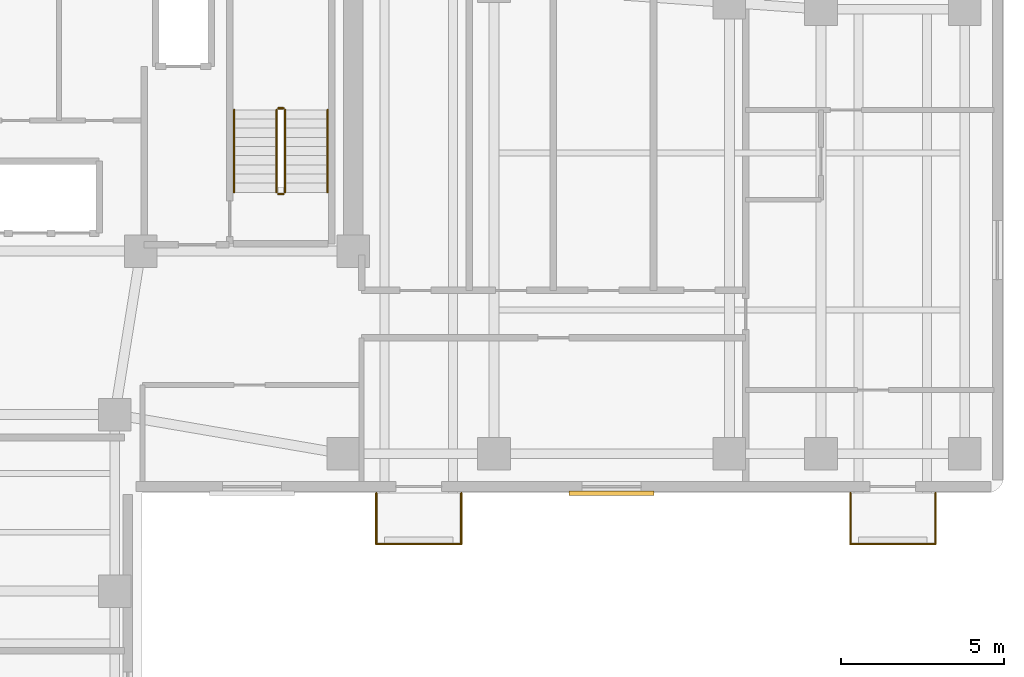
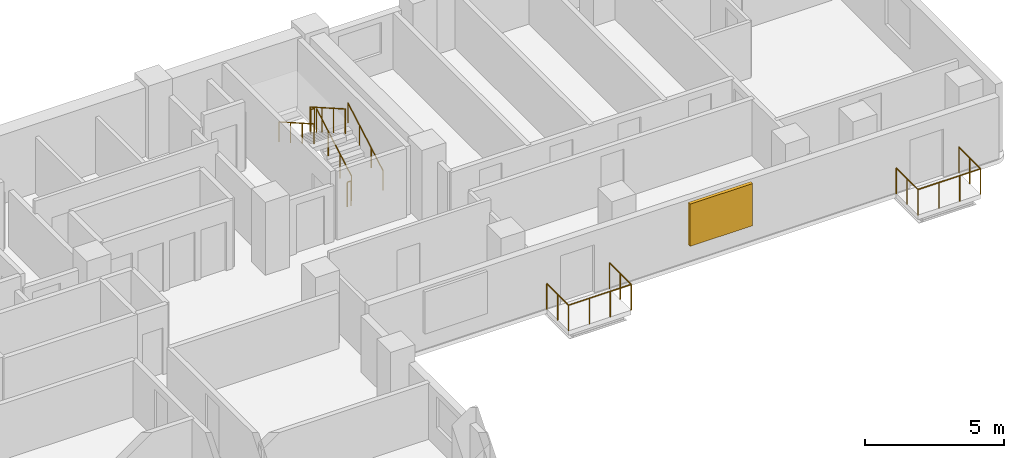
# One storey, part 7 of 7: 12 railings, 1 shading device.
"""IFC4 building model written with IfcOpenShell, lengths in metres."""

from ifc_helpers import new_model, si_unit, direction, frame, origin, origin_2d, place, context, subcontext, project, spatial, rectangle, circle, extrude, material, layer, layer_set, type_object, element, save


model = new_model("IFC4")

# Units and contexts
model_context = context("Model", 3, precision=1e-05, world=origin(), true_north=direction((0.0, 1.0)))
body_context = subcontext(model_context, "Body", "Model", "MODEL_VIEW")
ifc_project = project(units=[si_unit("LENGTHUNIT", "METRE"), si_unit("AREAUNIT", "SQUARE_METRE"), si_unit("VOLUMEUNIT", "CUBIC_METRE"), si_unit("PLANEANGLEUNIT", "RADIAN"), si_unit("MASSUNIT", "GRAM", prefix="KILO")], contexts=[model_context])

# Site, building, storey
site_placement = place(None, origin())
site = spatial("IfcSite", under=ifc_project, at=site_placement, CompositionType="ELEMENT")
building_placement = place(site_placement, origin())
building = spatial("IfcBuilding", under=site, at=building_placement, Name="Kuzgunbayir Cultural Tower", CompositionType="ELEMENT")
storey_placement = place(building_placement, frame((0.0, 0.0, 133.0)))
storey = spatial("IfcBuildingStorey", under=building, at=storey_placement, Name="L38", CompositionType="ELEMENT", Elevation=133.0)

# Railings
ifc_material_1 = material(Name="Laminated Glass and Stainless Steel", Category="steel")
ifc_layer_1 = layer(ifc_material_1, 0.080078125)
ifc_layer_set_1 = layer_set([ifc_layer_1], Name="Laminated Glass and Stainless Steel")
railing_type_1 = type_object("IfcRailingType", Name="RLG-BAL-115", PredefinedType="BALUSTRADE", material=ifc_layer_set_1)
railing_1_placement = place(storey_placement, frame((27.60009765625, 26.39990234375, 0.0)))
element("IfcRailing", 1, at=railing_1_placement, inside=storey, type_object=railing_type_1, Name="L38 Balcony Guard BAL-L38-WB1 Segment 1", PredefinedType="BALUSTRADE", context=body_context, shape_type="SweptSolid", body=[
    extrude(circle(Radius=0.02392578125, at=origin_2d()), frame((0.0, 0.0, 1.1259765625), z_axis=(0.0, -1.0, 0.0), x_axis=(1.0, 0.0, 0.0)), (0.0, 0.0, 1.0), 1.559814453125),
    extrude(circle(Radius=0.02099609375, at=origin_2d()), origin(), (0.0, 0.0, 1.0), 1.101806640625),
    extrude(circle(Radius=0.02099609375, at=origin_2d()), frame((0.0, -0.77978515625, 0.0)), (0.0, 0.0, 1.0), 1.101806640625),
    extrude(circle(Radius=0.02099609375, at=origin_2d()), frame((0.0, -1.559814453125, 0.0)), (0.0, 0.0, 1.0), 1.101806640625),
])
railing_2_placement = place(storey_placement, frame((27.60009765625, 24.840087890625, 0.0)))
element("IfcRailing", 2, at=railing_2_placement, inside=storey, type_object=railing_type_1, Name="L38 Balcony Guard BAL-L38-WB1 Segment 2", PredefinedType="BALUSTRADE", context=body_context, shape_type="SweptSolid", body=[
    extrude(circle(Radius=0.02392578125, at=origin_2d()), frame((0.0, 0.0, 1.1259765625), z_axis=(1.0, 0.0, 0.0), x_axis=(0.0, 1.0, 0.0)), (0.0, 0.0, 1.0), 2.599853515625),
    extrude(circle(Radius=0.02099609375, at=origin_2d()), origin(), (0.0, 0.0, 1.0), 1.101806640625),
    extrude(circle(Radius=0.02099609375, at=origin_2d()), frame((0.86669921875, 0.0, 0.0)), (0.0, 0.0, 1.0), 1.101806640625),
    extrude(circle(Radius=0.02099609375, at=origin_2d()), frame((1.733154296875, 0.0, 0.0)), (0.0, 0.0, 1.0), 1.101806640625),
    extrude(circle(Radius=0.02099609375, at=origin_2d()), frame((2.599853515625, 0.0, 0.0)), (0.0, 0.0, 1.0), 1.101806640625),
])
railing_3_placement = place(storey_placement, frame((30.199951171875, 24.840087890625, 0.0)))
element("IfcRailing", 3, at=railing_3_placement, inside=storey, type_object=railing_type_1, Name="L38 Balcony Guard BAL-L38-WB1 Segment 3", PredefinedType="BALUSTRADE", context=body_context, shape_type="SweptSolid", body=[
    extrude(circle(Radius=0.02392578125, at=origin_2d()), frame((0.0, 0.0, 1.1259765625), z_axis=(0.0, 1.0, 0.0), x_axis=(-1.0, 0.0, 0.0)), (0.0, 0.0, 1.0), 1.559814453125),
    extrude(circle(Radius=0.02099609375, at=origin_2d()), origin(), (0.0, 0.0, 1.0), 1.101806640625),
    extrude(circle(Radius=0.02099609375, at=origin_2d()), frame((0.0, 0.77978515625, 0.0)), (0.0, 0.0, 1.0), 1.101806640625),
    extrude(circle(Radius=0.02099609375, at=origin_2d()), frame((0.0, 1.559814453125, 0.0)), (0.0, 0.0, 1.0), 1.101806640625),
])
railing_4_placement = place(storey_placement, frame((42.10009765625, 26.39990234375, 0.0)))
element("IfcRailing", 4, at=railing_4_placement, inside=storey, type_object=railing_type_1, Name="L38 Balcony Guard BAL-L38-WB3 Segment 1", PredefinedType="BALUSTRADE", context=body_context, shape_type="SweptSolid", body=[
    extrude(circle(Radius=0.02392578125, at=origin_2d()), frame((0.0, 0.0, 1.1259765625), z_axis=(0.0, -1.0, 0.0), x_axis=(1.0, 0.0, 0.0)), (0.0, 0.0, 1.0), 1.559814453125),
    extrude(circle(Radius=0.02099609375, at=origin_2d()), origin(), (0.0, 0.0, 1.0), 1.101806640625),
    extrude(circle(Radius=0.02099609375, at=origin_2d()), frame((0.0, -0.77978515625, 0.0)), (0.0, 0.0, 1.0), 1.101806640625),
    extrude(circle(Radius=0.02099609375, at=origin_2d()), frame((0.0, -1.559814453125, 0.0)), (0.0, 0.0, 1.0), 1.101806640625),
])
railing_5_placement = place(storey_placement, frame((42.10009765625, 24.840087890625, 0.0)))
element("IfcRailing", 5, at=railing_5_placement, inside=storey, type_object=railing_type_1, Name="L38 Balcony Guard BAL-L38-WB3 Segment 2", PredefinedType="BALUSTRADE", context=body_context, shape_type="SweptSolid", body=[
    extrude(circle(Radius=0.02392578125, at=origin_2d()), frame((0.0, 0.0, 1.1259765625), z_axis=(1.0, 0.0, 0.0), x_axis=(0.0, 1.0, 0.0)), (0.0, 0.0, 1.0), 2.599853515625),
    extrude(circle(Radius=0.02099609375, at=origin_2d()), origin(), (0.0, 0.0, 1.0), 1.101806640625),
    extrude(circle(Radius=0.02099609375, at=origin_2d()), frame((0.86669921875, 0.0, 0.0)), (0.0, 0.0, 1.0), 1.101806640625),
    extrude(circle(Radius=0.02099609375, at=origin_2d()), frame((1.733154296875, 0.0, 0.0)), (0.0, 0.0, 1.0), 1.101806640625),
    extrude(circle(Radius=0.02099609375, at=origin_2d()), frame((2.599853515625, 0.0, 0.0)), (0.0, 0.0, 1.0), 1.101806640625),
])
railing_6_placement = place(storey_placement, frame((44.699951171875, 24.840087890625, 0.0)))
element("IfcRailing", 6, at=railing_6_placement, inside=storey, type_object=railing_type_1, Name="L38 Balcony Guard BAL-L38-WB3 Segment 3", PredefinedType="BALUSTRADE", context=body_context, shape_type="SweptSolid", body=[
    extrude(circle(Radius=0.02392578125, at=origin_2d()), frame((0.0, 0.0, 1.1259765625), z_axis=(0.0, 1.0, 0.0), x_axis=(-1.0, 0.0, 0.0)), (0.0, 0.0, 1.0), 1.559814453125),
    extrude(circle(Radius=0.02099609375, at=origin_2d()), origin(), (0.0, 0.0, 1.0), 1.101806640625),
    extrude(circle(Radius=0.02099609375, at=origin_2d()), frame((0.0, 0.77978515625, 0.0)), (0.0, 0.0, 1.0), 1.101806640625),
    extrude(circle(Radius=0.02099609375, at=origin_2d()), frame((0.0, 1.559814453125, 0.0)), (0.0, 0.0, 1.0), 1.101806640625),
])
ifc_material_2 = material(Name="Brushed Stainless Steel", Category="steel")
ifc_layer_2 = layer(ifc_material_2, 0.050048828125)
ifc_layer_set_2 = layer_set([ifc_layer_2], Name="Brushed Stainless Steel")
railing_type_2 = type_object("IfcRailingType", Name="RLG-STAIR-HANDRAIL", PredefinedType="HANDRAIL", material=ifc_layer_set_2)
railing_7_placement = place(storey_placement, frame((26.110107421875, 35.60009765625, 0.159912109375)))
element("IfcRailing", 7, at=railing_7_placement, inside=storey, type_object=railing_type_2, Name="L38 ST-2 stair handrail 1", PredefinedType="HANDRAIL", context=body_context, shape_type="SweptSolid", body=[
    extrude(circle(Radius=0.02392578125, at=origin_2d()), frame((0.0, 0.0, 0.8759765625), z_axis=(0.0, 0.868217259934, 0.496184229447), x_axis=(-1.0, 0.0, 0.0)), (0.0, 0.0, 1.0), 2.902587890625),
    extrude(circle(Radius=0.02099609375, at=origin_2d()), origin(), (0.0, 0.0, 1.0), 0.851806640625),
    extrude(circle(Radius=0.02099609375, at=origin_2d()), frame((0.0, 0.840087890625, 0.47998046875)), (0.0, 0.0, 1.0), 0.851806640625),
    extrude(circle(Radius=0.02099609375, at=origin_2d()), frame((0.0, 1.679931640625, 0.960205078125)), (0.0, 0.0, 1.0), 0.851806640625),
    extrude(circle(Radius=0.02099609375, at=origin_2d()), frame((0.0, 2.52001953125, 1.440185546875)), (0.0, 0.0, 1.0), 0.851806640625),
])
railing_8_placement = place(storey_placement, frame((23.25, 38.1201171875, 1.760009765625)))
element("IfcRailing", 8, at=railing_8_placement, inside=storey, type_object=railing_type_2, Name="L38 ST-2 stair handrail 2", PredefinedType="HANDRAIL", context=body_context, shape_type="SweptSolid", body=[
    extrude(circle(Radius=0.02392578125, at=origin_2d()), frame((0.0, 0.0, 0.8759765625), z_axis=(0.0, -0.868253494771, 0.496120820787), x_axis=(1.0, 0.0, 0.0)), (0.0, 0.0, 1.0), 2.90234375),
    extrude(circle(Radius=0.02099609375, at=origin_2d()), origin(), (0.0, 0.0, 1.0), 0.851806640625),
    extrude(circle(Radius=0.02099609375, at=origin_2d()), frame((0.0, -0.840087890625, 0.47998046875)), (0.0, 0.0, 1.0), 0.851806640625),
    extrude(circle(Radius=0.02099609375, at=origin_2d()), frame((0.0, -1.679931640625, 0.9599609375)), (0.0, 0.0, 1.0), 0.851806640625),
    extrude(circle(Radius=0.02099609375, at=origin_2d()), frame((0.0, -2.52001953125, 1.43994140625)), (0.0, 0.0, 1.0), 0.851806640625),
])
ifc_material_3 = material(Name="Painted Steel Balustrade", Category="steel")
ifc_layer_3 = layer(ifc_material_3, 0.06005859375)
ifc_layer_set_3 = layer_set([ifc_layer_3], Name="Painted Steel Balustrade")
railing_type_3 = type_object("IfcRailingType", Name="RLG-WELL-GUARD", PredefinedType="GUARDRAIL", material=ifc_layer_set_3)
railing_9_placement = place(storey_placement, frame((24.81005859375, 35.60009765625, 0.159912109375)))
element("IfcRailing", 9, at=railing_9_placement, inside=storey, type_object=railing_type_3, Name="L38 ST-2 stair guard 1", PredefinedType="GUARDRAIL", context=body_context, shape_type="SweptSolid", body=[
    extrude(circle(Radius=0.02392578125, at=origin_2d()), frame((0.0, 0.0, 1.076171875), z_axis=(0.0, 0.868217259934, 0.496184229447), x_axis=(-1.0, 0.0, 0.0)), (0.0, 0.0, 1.0), 2.902587890625),
    extrude(circle(Radius=0.02099609375, at=origin_2d()), origin(), (0.0, 0.0, 1.0), 1.052001953125),
    extrude(circle(Radius=0.02099609375, at=origin_2d()), frame((0.0, 0.840087890625, 0.47998046875)), (0.0, 0.0, 1.0), 1.052001953125),
    extrude(circle(Radius=0.02099609375, at=origin_2d()), frame((0.0, 1.679931640625, 0.960205078125)), (0.0, 0.0, 1.0), 1.052001953125),
    extrude(circle(Radius=0.02099609375, at=origin_2d()), frame((0.0, 2.52001953125, 1.440185546875)), (0.0, 0.0, 1.0), 1.052001953125),
])
railing_10_placement = place(storey_placement, frame((24.760009765625, 38.169921875, 1.60009765625)))
element("IfcRailing", 10, at=railing_10_placement, inside=storey, type_object=railing_type_3, Name="L38 ST-2 stair guard 2", PredefinedType="GUARDRAIL", context=body_context, shape_type="SweptSolid", body=[
    extrude(circle(Radius=0.02392578125, at=origin_2d()), frame((0.0, 0.0, 1.076171875), z_axis=(-1.0, 0.0, 0.0), x_axis=(0.0, -1.0, 0.0)), (0.0, 0.0, 1.0), 0.159912109375),
    extrude(circle(Radius=0.02099609375, at=origin_2d()), origin(), (0.0, 0.0, 1.0), 1.052001953125),
    extrude(circle(Radius=0.02099609375, at=origin_2d()), frame((-0.159912109375, 0.0, 0.0)), (0.0, 0.0, 1.0), 1.052001953125),
])
railing_11_placement = place(storey_placement, frame((24.550048828125, 38.1201171875, 1.760009765625)))
element("IfcRailing", 11, at=railing_11_placement, inside=storey, type_object=railing_type_3, Name="L38 ST-2 stair guard 3", PredefinedType="GUARDRAIL", context=body_context, shape_type="SweptSolid", body=[
    extrude(circle(Radius=0.02392578125, at=origin_2d()), frame((0.0, 0.0, 1.076171875), z_axis=(0.0, -0.868253494771, 0.496120820787), x_axis=(1.0, 0.0, 0.0)), (0.0, 0.0, 1.0), 2.90234375),
    extrude(circle(Radius=0.02099609375, at=origin_2d()), origin(), (0.0, 0.0, 1.0), 1.052001953125),
    extrude(circle(Radius=0.02099609375, at=origin_2d()), frame((0.0, -0.840087890625, 0.47998046875)), (0.0, 0.0, 1.0), 1.052001953125),
    extrude(circle(Radius=0.02099609375, at=origin_2d()), frame((0.0, -1.679931640625, 0.9599609375)), (0.0, 0.0, 1.0), 1.052001953125),
    extrude(circle(Radius=0.02099609375, at=origin_2d()), frame((0.0, -2.52001953125, 1.43994140625)), (0.0, 0.0, 1.0), 1.052001953125),
])
railing_12_placement = place(storey_placement, frame((24.760009765625, 35.550048828125, 0.0)))
element("IfcRailing", 12, at=railing_12_placement, inside=storey, type_object=railing_type_3, Name="L38 ST-2 stair guard 4", PredefinedType="GUARDRAIL", context=body_context, shape_type="SweptSolid", body=[
    extrude(circle(Radius=0.02392578125, at=origin_2d()), frame((0.0, 0.0, 1.076171875), z_axis=(-1.0, 0.0, 0.0), x_axis=(0.0, -1.0, 0.0)), (0.0, 0.0, 1.0), 0.159912109375),
    extrude(circle(Radius=0.02099609375, at=origin_2d()), origin(), (0.0, 0.0, 1.0), 1.052001953125),
    extrude(circle(Radius=0.02099609375, at=origin_2d()), frame((-0.159912109375, 0.0, 0.0)), (0.0, 0.0, 1.0), 1.052001953125),
])

# Shading device
ifc_material_4 = material(Name="Perforated Bronze-Anodised Aluminium", Category="aluminium")
shading_device_type = type_object("IfcShadingDeviceType", Name="SHD-SOLAR-BRONZE", PredefinedType="JALOUSIE", material=ifc_material_4)
shading_device_placement = place(storey_placement, frame((34.800048828125, 26.39990234375, 0.73486328125), z_axis=(0.0, 0.0, 1.0), x_axis=(1.0, 0.0, 0.0)))
element("IfcShadingDevice", 13, at=shading_device_placement, inside=storey, type_object=shading_device_type, Name="L38 Solar Screen WBS13", PredefinedType="JALOUSIE", context=body_context, shape_type="SweptSolid", body=[
    extrude(rectangle(XDim=2.60009765625, YDim=0.139892578125, at=origin_2d()), origin(), (0.0, 0.0, 1.0), 1.85009765625),
])

save(model, "model.ifc")
